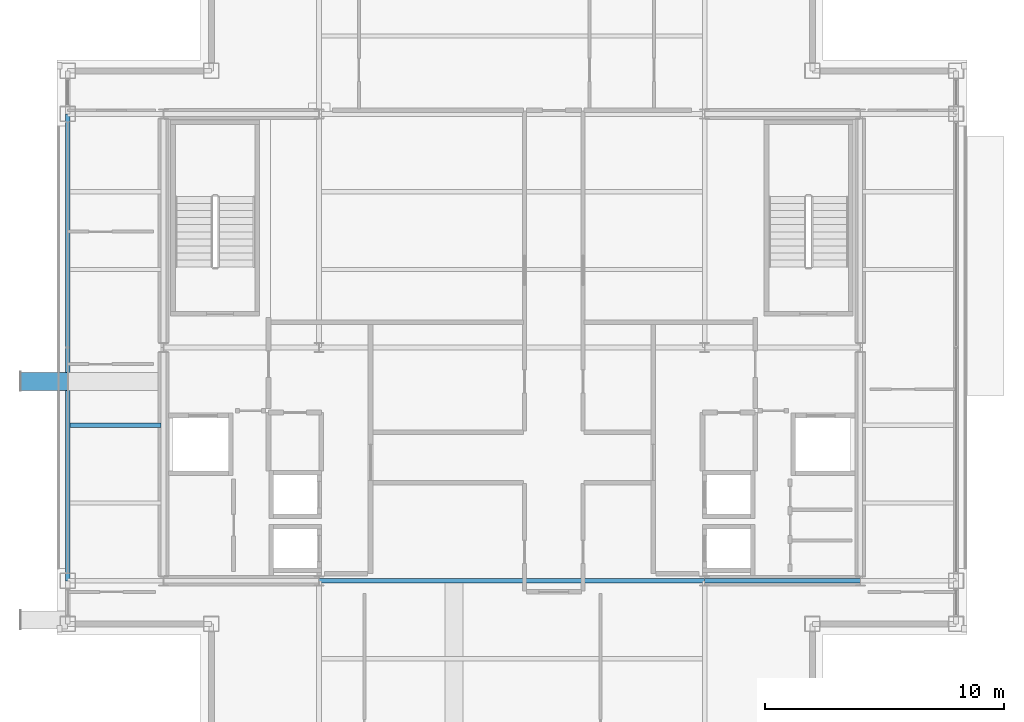
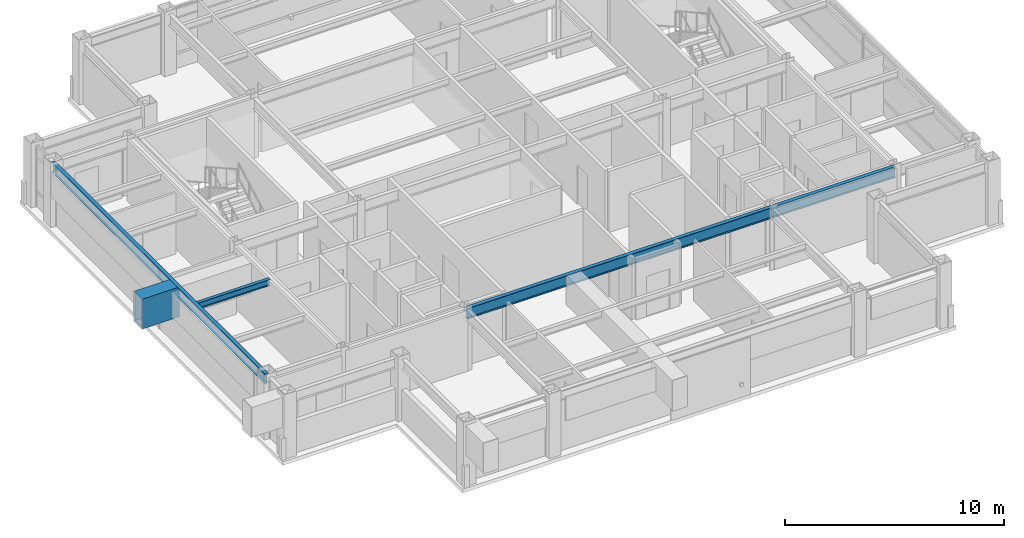
# One storey, part 6 of 20: 5 beams.
"""IFC4 building model written with IfcOpenShell, lengths in metres."""

from ifc_helpers import new_model, si_unit, direction, frame, origin, origin_2d, place, context, subcontext, project, spatial, hollow_rectangle, i_section, extrude, material, material_profile, profile_set, type_object, element, save


model = new_model("IFC4")

# Units and contexts
model_context = context("Model", 3, precision=1e-05, world=origin(), true_north=direction((0.0, 1.0)))
body_context = subcontext(model_context, "Body", "Model", "MODEL_VIEW")
ifc_project = project(units=[si_unit("LENGTHUNIT", "METRE"), si_unit("AREAUNIT", "SQUARE_METRE"), si_unit("VOLUMEUNIT", "CUBIC_METRE"), si_unit("PLANEANGLEUNIT", "RADIAN"), si_unit("MASSUNIT", "GRAM", prefix="KILO")], contexts=[model_context])

# Site, building, storey
site_placement = place(None, origin())
site = spatial("IfcSite", under=ifc_project, at=site_placement, CompositionType="ELEMENT")
building_placement = place(site_placement, origin())
building = spatial("IfcBuilding", under=site, at=building_placement, Name="Brelmoor Portico Tower", CompositionType="ELEMENT")
storey_placement = place(building_placement, frame((0.0, 0.0, 243.60009765625)))
storey = spatial("IfcBuildingStorey", under=building, at=storey_placement, Name="L64", CompositionType="ELEMENT", Elevation=243.60009765625)

# Beams
ifc_material = material(Name="Steel Q355B", Category="steel")
ifc_material_profile_1 = material_profile(ifc_material, i_section(OverallWidth=0.175048828125, OverallDepth=0.35009765625, WebThickness=0.007080078125, FlangeThickness=0.010986328125, at=origin_2d()), Name="HN 350x175x7x11")
ifc_profile_set_1 = profile_set([ifc_material_profile_1], Name="Steel Q355B")
beam_type_1 = type_object("IfcBeamType", Name="BM-JS-350", PredefinedType="JOIST", material=ifc_profile_set_1)
beam_1_placement = place(storey_placement, frame((-18.449951171875, -3.25, 3.224853515625), z_axis=(1.0, 0.0, 0.0), x_axis=(0.0, 1.0, 0.0)))
element("IfcBeam", 1, at=beam_1_placement, inside=storey, type_object=beam_type_1, Name="L64 Secondary Wing Joist JS-W08", PredefinedType="JOIST", context=body_context, shape_type="SweptSolid", body=[
    extrude(i_section(OverallWidth=0.175048828125, OverallDepth=0.35009765625, WebThickness=0.007080078125, FlangeThickness=0.010986328125, at=origin_2d()), origin(), (0.0, 0.0, 1.0), 3.800048828125),
])
ifc_material_profile_2 = material_profile(ifc_material, hollow_rectangle(XDim=0.75, YDim=1.659912109375, WallThickness=0.0419921875, at=origin_2d()), Name="BOX 750x1660x42")
ifc_profile_set_2 = profile_set([ifc_material_profile_2], Name="Steel Q355B")
beam_type_2 = type_object("IfcBeamType", Name="BM-PF-CANT", PredefinedType="BEAM", material=ifc_profile_set_2)
beam_2_placement = place(storey_placement, frame((-20.5, -1.419921875, 2.56982421875), z_axis=(1.0, 0.0, 0.0), x_axis=(0.0, 1.0, 0.0)))
element("IfcBeam", 2, at=beam_2_placement, inside=storey, type_object=beam_type_2, Name="L64 Picture-Frame Outrigger Transfer Cantilever PFB-04", PredefinedType="BEAM", context=body_context, shape_type="SweptSolid", body=[
    extrude(hollow_rectangle(XDim=0.75, YDim=1.659912109375, WallThickness=0.0419921875, at=origin_2d()), origin(), (0.0, 0.0, 1.0), 1.949951171875),
])
ifc_material_profile_3 = material_profile(ifc_material, i_section(OverallWidth=0.199951171875, OverallDepth=0.60009765625, WebThickness=0.010986328125, FlangeThickness=0.01708984375, at=origin_2d()), Name="HN 600x200x11x17")
ifc_profile_set_3 = profile_set([ifc_material_profile_3], Name="Steel Q355B")
beam_type_3 = type_object("IfcBeamType", Name="BM-PG-600", PredefinedType="BEAM", material=ifc_profile_set_3)
beam_3_placement = place(storey_placement, frame((-8.050048828125, -9.75, 3.099853515625), z_axis=(1.0, 0.0, 0.0), x_axis=(0.0, 1.0, 0.0)))
element("IfcBeam", 3, at=beam_3_placement, inside=storey, type_object=beam_type_3, Name="L64 Primary Floor Girder PG-13", PredefinedType="BEAM", context=body_context, shape_type="SweptSolid", body=[
    extrude(i_section(OverallWidth=0.199951171875, OverallDepth=0.60009765625, WebThickness=0.010986328125, FlangeThickness=0.01708984375, at=origin_2d()), origin(), (0.0, 0.0, 1.0), 16.10009765625),
])
beam_4_placement = place(storey_placement, frame((8.050048828125, -9.75, 3.099853515625), z_axis=(1.0, 0.0, 0.0), x_axis=(0.0, 1.0, 0.0)))
element("IfcBeam", 4, at=beam_4_placement, inside=storey, type_object=beam_type_3, Name="L64 Primary Floor Girder PG-14", PredefinedType="BEAM", context=body_context, shape_type="SweptSolid", body=[
    extrude(i_section(OverallWidth=0.199951171875, OverallDepth=0.60009765625, WebThickness=0.010986328125, FlangeThickness=0.01708984375, at=origin_2d()), origin(), (0.0, 0.0, 1.0), 6.5),
])
ifc_material_profile_4 = material_profile(ifc_material, i_section(OverallWidth=0.199951171875, OverallDepth=0.550048828125, WebThickness=0.010009765625, FlangeThickness=0.01611328125, at=origin_2d()), Name="HN 550x200x10x16")
ifc_profile_set_4 = profile_set([ifc_material_profile_4], Name="Steel Q355B")
beam_type_4 = type_object("IfcBeamType", Name="BM-SP-550", PredefinedType="SPANDREL", material=ifc_profile_set_4)
beam_5_placement = place(storey_placement, frame((-18.550048828125, -9.75, 3.125), z_axis=(0.0, 1.0, 0.0), x_axis=(-1.0, 0.0, 0.0)))
element("IfcBeam", 5, at=beam_5_placement, inside=storey, type_object=beam_type_4, Name="L64 Perimeter Spandrel Beam SP-12", PredefinedType="SPANDREL", context=body_context, shape_type="SweptSolid", body=[
    extrude(i_section(OverallWidth=0.199951171875, OverallDepth=0.550048828125, WebThickness=0.010009765625, FlangeThickness=0.01611328125, at=origin_2d()), origin(), (0.0, 0.0, 1.0), 19.5),
])

save(model, "model.ifc")
